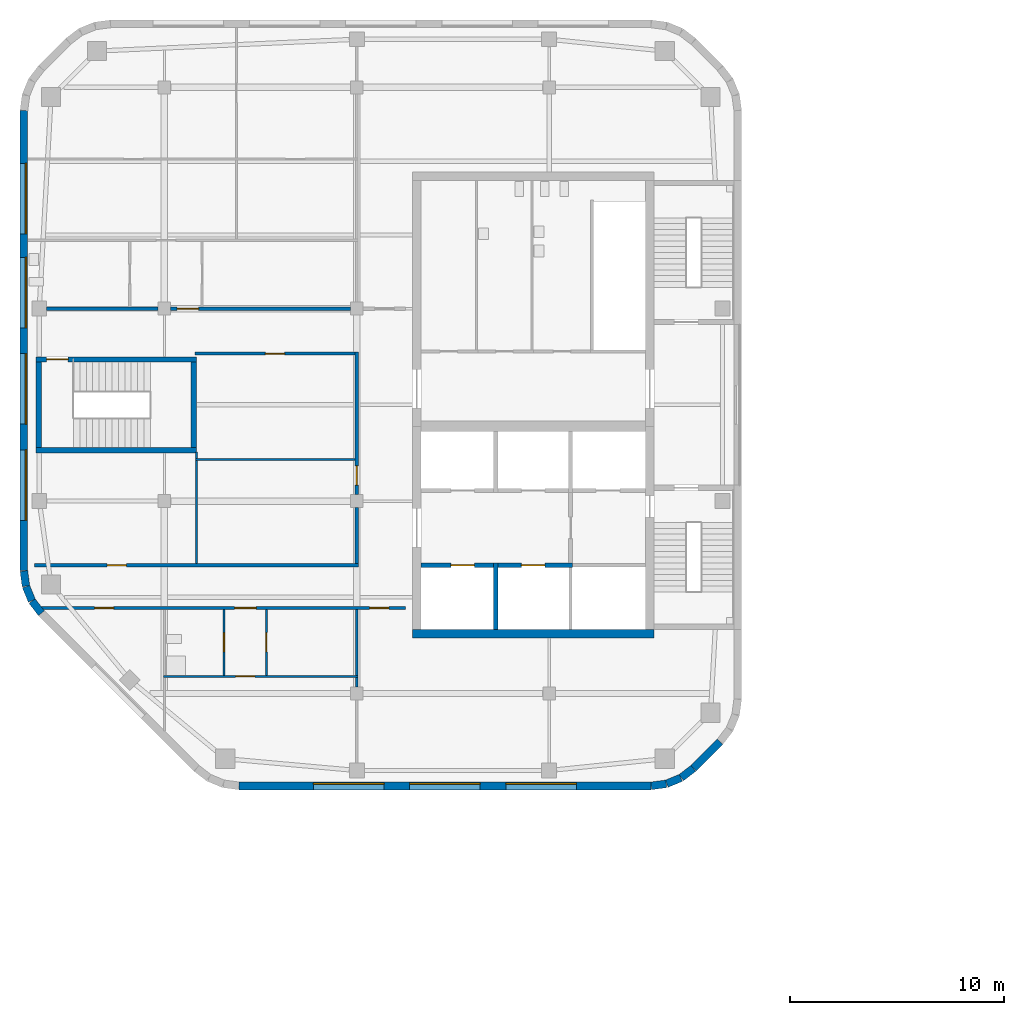
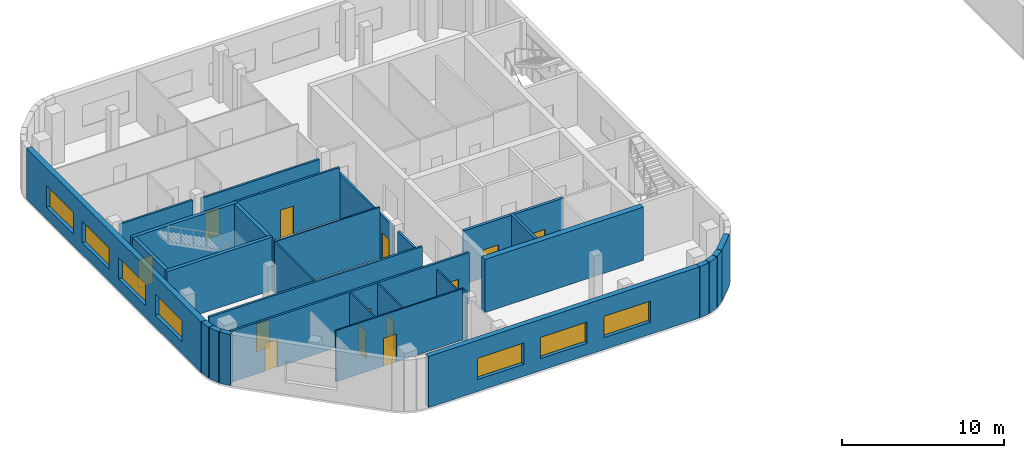
# One storey, part 5 of 14: 32 walls, 13 doors, 7 windows, 20 openings.
"""IFC4 building model written with IfcOpenShell, lengths in metres."""

from ifc_helpers import new_model, si_unit, direction, frame, frame_2d, origin, place, context, subcontext, project, spatial, rectangle, extrude, material, layer, layer_set, type_object, element, fill, save


model = new_model("IFC4")

# Units and contexts
model_context = context("Model", 3, precision=1e-05, world=origin(), true_north=direction((0.0, 1.0)))
body_context = subcontext(model_context, "Body", "Model", "MODEL_VIEW")
ifc_project = project(units=[si_unit("LENGTHUNIT", "METRE"), si_unit("AREAUNIT", "SQUARE_METRE"), si_unit("VOLUMEUNIT", "CUBIC_METRE"), si_unit("PLANEANGLEUNIT", "RADIAN"), si_unit("MASSUNIT", "GRAM", prefix="KILO")], contexts=[model_context])

# Site, building, storey
site_placement = place(None, origin())
site = spatial("IfcSite", under=ifc_project, at=site_placement, CompositionType="ELEMENT")
building_placement = place(site_placement, origin())
building = spatial("IfcBuilding", under=site, at=building_placement, Name="Cinnabar Reach Civic Tower", CompositionType="ELEMENT")
storey_placement = place(building_placement, frame((0.0, 0.0, 132.0)))
storey = spatial("IfcBuildingStorey", under=building, at=storey_placement, Name="L31", CompositionType="ELEMENT", Elevation=132.0)

# Walls
ifc_material_1 = material(Name="Facing brick with insulated backing", Category="masonry")
ifc_layer_1 = layer(ifc_material_1, 0.36)
ifc_layer_set_1 = layer_set([ifc_layer_1], Name="Brick corner wall")
wall_type_1 = type_object("IfcWallType", Name="Brick corner wall", PredefinedType="STANDARD", material=ifc_layer_set_1)
for number, where, z_axis, x_axis, name in (
    (1, (-31.2314, 13.683, 0.0), (0.0, 0.0, 1.0), (0.99144092581, 0.13055608231, 0.0), "Brick corner wall"),
    (2, (-30.5027, 13.7819, 0.0), (0.0, 0.0, 1.0), (0.923871547278, 0.382702709855, 0.0), "Brick corner wall"),
):
    element("IfcWall", number, at=place(storey_placement, frame(where, z_axis=z_axis, x_axis=x_axis)), inside=storey, type_object=wall_type_1, Name=name, PredefinedType="STANDARD", context=body_context, shape_type="SweptSolid", body=[
        extrude(rectangle(XDim=0.7131, YDim=0.36, at=frame_2d((0.3565, 0.0))), origin(), (0.0, 0.0, 1.0), 3.85),
    ])
wall_1_placement = place(storey_placement, frame((-29.8245, 14.066, 0.0), z_axis=(0.0, 0.0, 1.0), x_axis=(0.793321924995, 0.608802368033, 0.0)))
element("IfcWall", 3, at=wall_1_placement, inside=storey, type_object=wall_type_1, Name="Brick corner wall", PredefinedType="STANDARD", context=body_context, shape_type="SweptSolid", body=[
    extrude(rectangle(XDim=0.7132, YDim=0.36, at=frame_2d((0.3566, 0.0))), origin(), (0.0, 0.0, 1.0), 3.85),
])
for number, where, z_axis, x_axis, name in (
    (4, (-60.567, 23.7314, 0.0), (0.0, 0.0, 1.0), (0.13055608231, -0.99144092581, 0.0), "Brick corner wall"),
    (5, (-60.4681, 23.0027, 0.0), (0.0, 0.0, 1.0), (0.382702709855, -0.923871547278, 0.0), "Brick corner wall"),
):
    element("IfcWall", number, at=place(storey_placement, frame(where, z_axis=z_axis, x_axis=x_axis)), inside=storey, type_object=wall_type_1, Name=name, PredefinedType="STANDARD", context=body_context, shape_type="SweptSolid", body=[
        extrude(rectangle(XDim=0.7131, YDim=0.36, at=frame_2d((0.3565, 0.0))), origin(), (0.0, 0.0, 1.0), 3.85),
    ])
wall_2_placement = place(storey_placement, frame((-60.184, 22.3245, 0.0), z_axis=(0.0, 0.0, 1.0), x_axis=(0.608802368033, -0.793321924995, 0.0)))
element("IfcWall", 6, at=wall_2_placement, inside=storey, type_object=wall_type_1, Name="Brick corner wall", PredefinedType="STANDARD", context=body_context, shape_type="SweptSolid", body=[
    extrude(rectangle(XDim=0.7132, YDim=0.36, at=frame_2d((0.3566, 0.0))), origin(), (0.0, 0.0, 1.0), 3.85),
])

# Wall, openings, windows
ifc_layer_2 = layer(ifc_material_1, 0.36)
ifc_layer_set_2 = layer_set([ifc_layer_2], Name="Brick pier and spandrel wall")
wall_type_2 = type_object("IfcWallType", Name="Brick pier and spandrel wall", PredefinedType="STANDARD", material=ifc_layer_set_2)
wall_3_placement = place(storey_placement, frame((-50.5074, 13.68, 0.0), z_axis=(0.0, 0.0, 1.0), x_axis=(1.0, 0.0, 0.0)))
wall_3 = element("IfcWall", 7, at=wall_3_placement, inside=storey, type_object=wall_type_2, Name="Brick facade wall", PredefinedType="STANDARD", context=body_context, shape_type="SweptSolid", body=[
    extrude(rectangle(XDim=19.2648, YDim=0.36, at=frame_2d((9.6324, 0.0))), origin(), (0.0, 0.0, 1.0), 3.85),
])
opening_1_placement = place(wall_3_placement, frame((3.4824, 0.0, 0.9)))
opening_1 = element("IfcOpeningElement", 8, at=opening_1_placement, cuts=wall_3, Name="Opening W2779", PredefinedType="OPENING", context=body_context, shape_type="SweptSolid", body=[
    extrude(rectangle(XDim=3.3, YDim=1.6, at=frame_2d((1.65, 0.8))), frame((0.0, 0.19, 0.0), z_axis=(0.0, -1.0, 0.0), x_axis=(1.0, 0.0, 0.0)), (0.0, 0.0, 1.0), 0.38),
])
opening_2_placement = place(wall_3_placement, frame((7.9824, 0.0, 0.9)))
opening_2 = element("IfcOpeningElement", 9, at=opening_2_placement, cuts=wall_3, Name="Opening W2780", PredefinedType="OPENING", context=body_context, shape_type="SweptSolid", body=[
    extrude(rectangle(XDim=3.3, YDim=1.6, at=frame_2d((1.65, 0.8))), frame((0.0, 0.19, 0.0), z_axis=(0.0, -1.0, 0.0), x_axis=(1.0, 0.0, 0.0)), (0.0, 0.0, 1.0), 0.38),
])
opening_3_placement = place(wall_3_placement, frame((12.4824, 0.0, 0.9)))
opening_3 = element("IfcOpeningElement", 10, at=opening_3_placement, cuts=wall_3, Name="Opening W2781", PredefinedType="OPENING", context=body_context, shape_type="SweptSolid", body=[
    extrude(rectangle(XDim=3.3, YDim=1.6, at=frame_2d((1.65, 0.8))), frame((0.0, 0.19, 0.0), z_axis=(0.0, -1.0, 0.0), x_axis=(1.0, 0.0, 0.0)), (0.0, 0.0, 1.0), 0.38),
])
ifc_material_2 = material(Name="Clear double glazing in aluminium frame", Category="aluminium")
window_type = type_object("IfcWindowType", Name="Deep-set window A", PartitioningType="SINGLE_PANEL", PredefinedType="WINDOW", material=ifc_material_2)
window_1_placement = place(opening_1_placement, origin())
window_1 = element("IfcWindow", 11, at=window_1_placement, inside=storey, type_object=window_type, Name="Window south face", OverallHeight=1.6, OverallWidth=3.3, PartitioningType="SINGLE_PANEL", PredefinedType="WINDOW", context=body_context, shape_type="SweptSolid", body=[
    extrude(rectangle(XDim=3.3, YDim=1.6, at=frame_2d((1.65, 0.8))), frame((0.0, 0.13, 0.0), z_axis=(0.0, -1.0, 0.0), x_axis=(1.0, 0.0, 0.0)), (0.0, 0.0, 1.0), 0.06),
])
fill(opening_1, window_1)
window_2_placement = place(opening_2_placement, origin())
window_2 = element("IfcWindow", 12, at=window_2_placement, inside=storey, type_object=window_type, Name="Window south face", OverallHeight=1.6, OverallWidth=3.3, PartitioningType="SINGLE_PANEL", PredefinedType="WINDOW", context=body_context, shape_type="SweptSolid", body=[
    extrude(rectangle(XDim=3.3, YDim=1.6, at=frame_2d((1.65, 0.8))), frame((0.0, 0.13, 0.0), z_axis=(0.0, -1.0, 0.0), x_axis=(1.0, 0.0, 0.0)), (0.0, 0.0, 1.0), 0.06),
])
fill(opening_2, window_2)
window_3_placement = place(opening_3_placement, origin())
window_3 = element("IfcWindow", 13, at=window_3_placement, inside=storey, type_object=window_type, Name="Window south face", OverallHeight=1.6, OverallWidth=3.3, PartitioningType="SINGLE_PANEL", PredefinedType="WINDOW", context=body_context, shape_type="SweptSolid", body=[
    extrude(rectangle(XDim=3.3, YDim=1.6, at=frame_2d((1.65, 0.8))), frame((0.0, 0.13, 0.0), z_axis=(0.0, -1.0, 0.0), x_axis=(1.0, 0.0, 0.0)), (0.0, 0.0, 1.0), 0.06),
])
fill(opening_3, window_3)

# Wall
wall_4_placement = place(storey_placement, frame((-29.2486, 14.506, 0.0), z_axis=(0.0, 0.0, 1.0), x_axis=(0.707106781187, 0.707106781187, 0.0)))
element("IfcWall", 14, at=wall_4_placement, inside=storey, type_object=wall_type_2, Name="Brick facade wall", PredefinedType="STANDARD", context=body_context, shape_type="SweptSolid", body=[
    extrude(rectangle(XDim=1.7573, YDim=0.36, at=frame_2d((0.8787, 0.0))), origin(), (0.0, 0.0, 1.0), 3.85),
])

# Wall, openings, windows
wall_5_placement = place(storey_placement, frame((-60.57, 45.2574, 0.0), z_axis=(0.0, 0.0, 1.0), x_axis=(0.0, -1.0, 0.0)))
wall_5 = element("IfcWall", 15, at=wall_5_placement, inside=storey, type_object=wall_type_2, Name="Brick facade wall", PredefinedType="STANDARD", context=body_context, shape_type="SweptSolid", body=[
    extrude(rectangle(XDim=21.5148, YDim=0.36, at=frame_2d((10.7574, 0.0))), origin(), (0.0, 0.0, 1.0), 3.85),
])
opening_4_placement = place(wall_5_placement, frame((2.4574, 0.0, 0.9)))
opening_4 = element("IfcOpeningElement", 16, at=opening_4_placement, cuts=wall_5, Name="Opening W2788", PredefinedType="OPENING", context=body_context, shape_type="SweptSolid", body=[
    extrude(rectangle(XDim=3.3, YDim=1.6, at=frame_2d((1.65, 0.8))), frame((0.0, 0.19, 0.0), z_axis=(0.0, -1.0, 0.0), x_axis=(1.0, 0.0, 0.0)), (0.0, 0.0, 1.0), 0.38),
])
opening_5_placement = place(wall_5_placement, frame((6.8574, 0.0, 0.9)))
opening_5 = element("IfcOpeningElement", 17, at=opening_5_placement, cuts=wall_5, Name="Opening W2789", PredefinedType="OPENING", context=body_context, shape_type="SweptSolid", body=[
    extrude(rectangle(XDim=3.3, YDim=1.6, at=frame_2d((1.65, 0.8))), frame((0.0, 0.19, 0.0), z_axis=(0.0, -1.0, 0.0), x_axis=(1.0, 0.0, 0.0)), (0.0, 0.0, 1.0), 0.38),
])
opening_6_placement = place(wall_5_placement, frame((11.3574, 0.0, 0.9)))
opening_6 = element("IfcOpeningElement", 18, at=opening_6_placement, cuts=wall_5, Name="Opening W2790", PredefinedType="OPENING", context=body_context, shape_type="SweptSolid", body=[
    extrude(rectangle(XDim=3.3, YDim=1.6, at=frame_2d((1.65, 0.8))), frame((0.0, 0.19, 0.0), z_axis=(0.0, -1.0, 0.0), x_axis=(1.0, 0.0, 0.0)), (0.0, 0.0, 1.0), 0.38),
])
opening_7_placement = place(wall_5_placement, frame((15.8574, 0.0, 0.9)))
opening_7 = element("IfcOpeningElement", 19, at=opening_7_placement, cuts=wall_5, Name="Opening W2791", PredefinedType="OPENING", context=body_context, shape_type="SweptSolid", body=[
    extrude(rectangle(XDim=3.3, YDim=1.6, at=frame_2d((1.65, 0.8))), frame((0.0, 0.19, 0.0), z_axis=(0.0, -1.0, 0.0), x_axis=(1.0, 0.0, 0.0)), (0.0, 0.0, 1.0), 0.38),
])
window_4_placement = place(opening_4_placement, origin())
window_4 = element("IfcWindow", 20, at=window_4_placement, inside=storey, type_object=window_type, Name="Window west face", OverallHeight=1.6, OverallWidth=3.3, PartitioningType="SINGLE_PANEL", PredefinedType="WINDOW", context=body_context, shape_type="SweptSolid", body=[
    extrude(rectangle(XDim=3.3, YDim=1.6, at=frame_2d((1.65, 0.8))), frame((0.0, 0.13, 0.0), z_axis=(0.0, -1.0, 0.0), x_axis=(1.0, 0.0, 0.0)), (0.0, 0.0, 1.0), 0.06),
])
fill(opening_4, window_4)
window_5_placement = place(opening_5_placement, origin())
window_5 = element("IfcWindow", 21, at=window_5_placement, inside=storey, type_object=window_type, Name="Window west face", OverallHeight=1.6, OverallWidth=3.3, PartitioningType="SINGLE_PANEL", PredefinedType="WINDOW", context=body_context, shape_type="SweptSolid", body=[
    extrude(rectangle(XDim=3.3, YDim=1.6, at=frame_2d((1.65, 0.8))), frame((0.0, 0.13, 0.0), z_axis=(0.0, -1.0, 0.0), x_axis=(1.0, 0.0, 0.0)), (0.0, 0.0, 1.0), 0.06),
])
fill(opening_5, window_5)
window_6_placement = place(opening_6_placement, origin())
window_6 = element("IfcWindow", 22, at=window_6_placement, inside=storey, type_object=window_type, Name="Window west face", OverallHeight=1.6, OverallWidth=3.3, PartitioningType="SINGLE_PANEL", PredefinedType="WINDOW", context=body_context, shape_type="SweptSolid", body=[
    extrude(rectangle(XDim=3.3, YDim=1.6, at=frame_2d((1.65, 0.8))), frame((0.0, 0.13, 0.0), z_axis=(0.0, -1.0, 0.0), x_axis=(1.0, 0.0, 0.0)), (0.0, 0.0, 1.0), 0.06),
])
fill(opening_6, window_6)
window_7_placement = place(opening_7_placement, origin())
window_7 = element("IfcWindow", 23, at=window_7_placement, inside=storey, type_object=window_type, Name="Window west face", OverallHeight=1.6, OverallWidth=3.3, PartitioningType="SINGLE_PANEL", PredefinedType="WINDOW", context=body_context, shape_type="SweptSolid", body=[
    extrude(rectangle(XDim=3.3, YDim=1.6, at=frame_2d((1.65, 0.8))), frame((0.0, 0.13, 0.0), z_axis=(0.0, -1.0, 0.0), x_axis=(1.0, 0.0, 0.0)), (0.0, 0.0, 1.0), 0.06),
])
fill(opening_7, window_7)

# Wall
ifc_material_3 = material(Name="Concrete C60", Category="concrete")
ifc_layer_3 = layer(ifc_material_3, 0.4)
ifc_layer_set_3 = layer_set([ifc_layer_3], Name="Core wall 400 EI 180")
wall_type_3 = type_object("IfcWallType", Name="Core wall 400 EI 180", PredefinedType="SOLIDWALL", material=ifc_layer_set_3)
wall_6_placement = place(storey_placement, frame((-42.4, 20.8, 0.0), z_axis=(0.0, 0.0, 1.0), x_axis=(1.0, 0.0, 0.0)))
element("IfcWall", 24, at=wall_6_placement, inside=storey, type_object=wall_type_3, Name="Core wall T2 L31 S", PredefinedType="SOLIDWALL", context=body_context, shape_type="SweptSolid", body=[
    extrude(rectangle(XDim=11.3, YDim=0.4, at=frame_2d((5.65, 0.0))), origin(), (0.0, 0.0, 1.0), 4.0),
])

# Wall, opening, door
ifc_material_4 = material(Name="Gypsum board on steel studs, double layer", Category="steel")
ifc_layer_4 = layer(ifc_material_4, 0.15)
ifc_layer_set_4 = layer_set([ifc_layer_4], Name="Corridor wall 150 T2")
wall_type_4 = type_object("IfcWallType", Name="Corridor wall 150 T2", PredefinedType="PARTITIONING", material=ifc_layer_set_4)
wall_7_placement = place(storey_placement, frame((-53.7, 36.0, 0.0), z_axis=(0.0, 0.0, 1.0), x_axis=(1.0, 0.0, 0.0)))
wall_7 = element("IfcWall", 25, at=wall_7_placement, inside=storey, type_object=wall_type_4, Name="Corridor wall 2", PredefinedType="PARTITIONING", context=body_context, shape_type="SweptSolid", body=[
    extrude(rectangle(XDim=8.4, YDim=0.15, at=frame_2d((4.2, 0.0))), origin(), (0.0, 0.0, 1.0), 3.262),
])
opening_8_placement = place(wall_7_placement, frame((0.3, 0.0, 0.0)))
opening_8 = element("IfcOpeningElement", 26, at=opening_8_placement, cuts=wall_7, Name="Opening D7127", PredefinedType="OPENING", context=body_context, shape_type="SweptSolid", body=[
    extrude(rectangle(XDim=1.0, YDim=2.1, at=frame_2d((0.5, 1.05))), frame((0.0, 0.085, 0.0), z_axis=(0.0, -1.0, 0.0), x_axis=(1.0, 0.0, 0.0)), (0.0, 0.0, 1.0), 0.17),
])
ifc_material_5 = material(Name="Timber door leaf in steel frame", Category="steel")
door_type_1 = type_object("IfcDoorType", Name="Tenancy entrance door 1000 x 2100 T2", OperationType="SINGLE_SWING_LEFT", PredefinedType="DOOR", material=ifc_material_5)
door_1_placement = place(opening_8_placement, origin())
door_1 = element("IfcDoor", 27, at=door_1_placement, inside=storey, type_object=door_type_1, Name="Door D7127", OperationType="SINGLE_SWING_RIGHT", OverallHeight=2.1, OverallWidth=1.0, PredefinedType="DOOR", context=body_context, shape_type="SweptSolid", body=[
    extrude(rectangle(XDim=1.0, YDim=2.1, at=frame_2d((0.5, 1.05))), frame((0.0, 0.025, 0.0), z_axis=(0.0, -1.0, 0.0), x_axis=(1.0, 0.0, 0.0)), (0.0, 0.0, 1.0), 0.05),
])
fill(opening_8, door_1)

# Wall
wall_8_placement = place(storey_placement, frame((-59.5, 36.0, 0.0), z_axis=(0.0, 0.0, 1.0), x_axis=(1.0, 0.0, 0.0)))
element("IfcWall", 28, at=wall_8_placement, inside=storey, type_object=wall_type_4, Name="Corridor wall 3", PredefinedType="PARTITIONING", context=body_context, shape_type="SweptSolid", body=[
    extrude(rectangle(XDim=5.2, YDim=0.15, at=frame_2d((2.6, 0.0))), origin(), (0.0, 0.0, 1.0), 3.35),
])

# Wall, openings, doors
wall_9_placement = place(storey_placement, frame((-59.7657, 22.0, 0.0), z_axis=(0.0, 0.0, 1.0), x_axis=(1.0, 0.0, 0.0)))
wall_9 = element("IfcWall", 29, at=wall_9_placement, inside=storey, type_object=wall_type_4, Name="Corridor wall 4", PredefinedType="PARTITIONING", context=body_context, shape_type="SweptSolid", body=[
    extrude(rectangle(XDim=17.0407, YDim=0.15, at=frame_2d((8.5204, 0.0))), origin(), (0.0, 0.0, 1.0), 3.85),
])
opening_9_placement = place(wall_9_placement, frame((15.3657, 0.0, 0.0)))
opening_9 = element("IfcOpeningElement", 30, at=opening_9_placement, cuts=wall_9, Name="Opening D7115", PredefinedType="OPENING", context=body_context, shape_type="SweptSolid", body=[
    extrude(rectangle(XDim=0.9, YDim=2.1, at=frame_2d((0.45, 1.05))), frame((0.0, 0.085, 0.0), z_axis=(0.0, -1.0, 0.0), x_axis=(1.0, 0.0, 0.0)), (0.0, 0.0, 1.0), 0.17),
])
opening_10_placement = place(wall_9_placement, frame((2.5, 0.0, 0.0)))
opening_10 = element("IfcOpeningElement", 31, at=opening_10_placement, cuts=wall_9, Name="Opening D7116", PredefinedType="OPENING", context=body_context, shape_type="SweptSolid", body=[
    extrude(rectangle(XDim=0.9, YDim=2.1, at=frame_2d((0.45, 1.05))), frame((0.0, 0.085, 0.0), z_axis=(0.0, -1.0, 0.0), x_axis=(1.0, 0.0, 0.0)), (0.0, 0.0, 1.0), 0.17),
])
opening_11_placement = place(wall_9_placement, frame((9.0557, 0.0, 0.0)))
opening_11 = element("IfcOpeningElement", 32, at=opening_11_placement, cuts=wall_9, Name="Opening D7120", PredefinedType="OPENING", context=body_context, shape_type="SweptSolid", body=[
    extrude(rectangle(XDim=1.0, YDim=2.1, at=frame_2d((0.5, 1.05))), frame((0.0, 0.085, 0.0), z_axis=(0.0, -1.0, 0.0), x_axis=(1.0, 0.0, 0.0)), (0.0, 0.0, 1.0), 0.17),
])
door_type_2 = type_object("IfcDoorType", Name="Single swing door 900 x 2100 T2", OperationType="SINGLE_SWING_LEFT", PredefinedType="DOOR", material=ifc_material_5)
door_2_placement = place(opening_9_placement, frame((0.9, 0.0, 0.0), z_axis=(0.0, 0.0, 1.0), x_axis=(-1.0, 0.0, 0.0)))
door_2 = element("IfcDoor", 33, at=door_2_placement, inside=storey, type_object=door_type_2, Name="Door D7115", OperationType="SINGLE_SWING_LEFT", OverallHeight=2.1, OverallWidth=0.9, PredefinedType="DOOR", context=body_context, shape_type="SweptSolid", body=[
    extrude(rectangle(XDim=0.9, YDim=2.1, at=frame_2d((0.45, 1.05))), frame((0.0, 0.025, 0.0), z_axis=(0.0, -1.0, 0.0), x_axis=(1.0, 0.0, 0.0)), (0.0, 0.0, 1.0), 0.05),
])
fill(opening_9, door_2)
door_3_placement = place(opening_10_placement, frame((0.9, 0.0, 0.0), z_axis=(0.0, 0.0, 1.0), x_axis=(-1.0, 0.0, 0.0)))
door_3 = element("IfcDoor", 34, at=door_3_placement, inside=storey, type_object=door_type_2, Name="Door D7116", OperationType="SINGLE_SWING_LEFT", OverallHeight=2.1, OverallWidth=0.9, PredefinedType="DOOR", context=body_context, shape_type="SweptSolid", body=[
    extrude(rectangle(XDim=0.9, YDim=2.1, at=frame_2d((0.45, 1.05))), frame((0.0, 0.025, 0.0), z_axis=(0.0, -1.0, 0.0), x_axis=(1.0, 0.0, 0.0)), (0.0, 0.0, 1.0), 0.05),
])
fill(opening_10, door_3)
door_4_placement = place(opening_11_placement, frame((1.0, 0.0, 0.0), z_axis=(0.0, 0.0, 1.0), x_axis=(-1.0, 0.0, 0.0)))
door_4 = element("IfcDoor", 35, at=door_4_placement, inside=storey, type_object=door_type_1, Name="Door D7120", OperationType="SINGLE_SWING_LEFT", OverallHeight=2.1, OverallWidth=1.0, PredefinedType="DOOR", context=body_context, shape_type="SweptSolid", body=[
    extrude(rectangle(XDim=1.0, YDim=2.1, at=frame_2d((0.5, 1.05))), frame((0.0, 0.025, 0.0), z_axis=(0.0, -1.0, 0.0), x_axis=(1.0, 0.0, 0.0)), (0.0, 0.0, 1.0), 0.05),
])
fill(opening_11, door_4)

# Wall, opening, door
wall_10_placement = place(storey_placement, frame((-60.075, 24.0, 0.0), z_axis=(0.0, 0.0, 1.0), x_axis=(1.0, 0.0, 0.0)))
wall_10 = element("IfcWall", 36, at=wall_10_placement, inside=storey, type_object=wall_type_4, Name="Corridor wall 5", PredefinedType="PARTITIONING", context=body_context, shape_type="SweptSolid", body=[
    extrude(rectangle(XDim=15.15, YDim=0.15, at=frame_2d((7.575, 0.0))), origin(), (0.0, 0.0, 1.0), 3.85),
])
opening_12_placement = place(wall_10_placement, frame((3.4, 0.0, 0.0)))
opening_12 = element("IfcOpeningElement", 37, at=opening_12_placement, cuts=wall_10, Name="Opening D7128", PredefinedType="OPENING", context=body_context, shape_type="SweptSolid", body=[
    extrude(rectangle(XDim=0.9, YDim=2.1, at=frame_2d((0.45, 1.05))), frame((0.0, 0.085, 0.0), z_axis=(0.0, -1.0, 0.0), x_axis=(1.0, 0.0, 0.0)), (0.0, 0.0, 1.0), 0.17),
])
door_5_placement = place(opening_12_placement, origin())
door_5 = element("IfcDoor", 38, at=door_5_placement, inside=storey, type_object=door_type_2, Name="Door D7128", OperationType="SINGLE_SWING_RIGHT", OverallHeight=2.1, OverallWidth=0.9, PredefinedType="DOOR", context=body_context, shape_type="SweptSolid", body=[
    extrude(rectangle(XDim=0.9, YDim=2.1, at=frame_2d((0.45, 1.05))), frame((0.0, 0.025, 0.0), z_axis=(0.0, -1.0, 0.0), x_axis=(1.0, 0.0, 0.0)), (0.0, 0.0, 1.0), 0.05),
])
fill(opening_12, door_5)

# Wall
wall_11_placement = place(storey_placement, frame((-45.0, 24.075, 0.0), z_axis=(0.0, 0.0, 1.0), x_axis=(0.0, 1.0, 0.0)))
element("IfcWall", 39, at=wall_11_placement, inside=storey, type_object=wall_type_4, Name="Corridor wall 6", PredefinedType="PARTITIONING", context=body_context, shape_type="SweptSolid", body=[
    extrude(rectangle(XDim=2.625, YDim=0.15, at=frame_2d((1.3125, 0.0))), origin(), (0.0, 0.0, 1.0), 3.362),
])

# Wall, opening, door
wall_12_placement = place(storey_placement, frame((-45.0, 27.3, 0.0), z_axis=(0.0, 0.0, 1.0), x_axis=(0.0, 1.0, 0.0)))
wall_12 = element("IfcWall", 40, at=wall_12_placement, inside=storey, type_object=wall_type_4, Name="Corridor wall 7", PredefinedType="PARTITIONING", context=body_context, shape_type="SweptSolid", body=[
    extrude(rectangle(XDim=6.675, YDim=0.15, at=frame_2d((3.3375, 0.0))), origin(), (0.0, 0.0, 1.0), 3.362),
])
opening_13_placement = place(wall_12_placement, frame((0.45, 0.0, 0.0)))
opening_13 = element("IfcOpeningElement", 41, at=opening_13_placement, cuts=wall_12, Name="Opening D7129", PredefinedType="OPENING", context=body_context, shape_type="SweptSolid", body=[
    extrude(rectangle(XDim=0.9, YDim=2.1, at=frame_2d((0.45, 1.05))), frame((0.0, 0.085, 0.0), z_axis=(0.0, -1.0, 0.0), x_axis=(1.0, 0.0, 0.0)), (0.0, 0.0, 1.0), 0.17),
])
door_6_placement = place(opening_13_placement, origin())
door_6 = element("IfcDoor", 42, at=door_6_placement, inside=storey, type_object=door_type_2, Name="Door D7129", OperationType="SINGLE_SWING_RIGHT", OverallHeight=2.1, OverallWidth=0.9, PredefinedType="DOOR", context=body_context, shape_type="SweptSolid", body=[
    extrude(rectangle(XDim=0.9, YDim=2.1, at=frame_2d((0.45, 1.05))), frame((0.0, 0.025, 0.0), z_axis=(0.0, -1.0, 0.0), x_axis=(1.0, 0.0, 0.0)), (0.0, 0.0, 1.0), 0.05),
])
fill(opening_13, door_6)

wall_13_placement = place(storey_placement, frame((-52.575, 33.9, 0.0), z_axis=(0.0, 0.0, 1.0), x_axis=(1.0, 0.0, 0.0)))
wall_13 = element("IfcWall", 43, at=wall_13_placement, inside=storey, type_object=wall_type_4, Name="Corridor wall 8", PredefinedType="PARTITIONING", context=body_context, shape_type="SweptSolid", body=[
    extrude(rectangle(XDim=7.5, YDim=0.15, at=frame_2d((3.75, 0.0))), origin(), (0.0, 0.0, 1.0), 3.85),
])
opening_14_placement = place(wall_13_placement, frame((3.3, 0.0, 0.0)))
opening_14 = element("IfcOpeningElement", 44, at=opening_14_placement, cuts=wall_13, Name="Opening D7130", PredefinedType="OPENING", context=body_context, shape_type="SweptSolid", body=[
    extrude(rectangle(XDim=0.9, YDim=2.1, at=frame_2d((0.45, 1.05))), frame((0.0, 0.085, 0.0), z_axis=(0.0, -1.0, 0.0), x_axis=(1.0, 0.0, 0.0)), (0.0, 0.0, 1.0), 0.17),
])
door_7_placement = place(opening_14_placement, frame((0.9, 0.0, 0.0), z_axis=(0.0, 0.0, 1.0), x_axis=(-1.0, 0.0, 0.0)))
door_7 = element("IfcDoor", 45, at=door_7_placement, inside=storey, type_object=door_type_2, Name="Door D7130", OperationType="SINGLE_SWING_LEFT", OverallHeight=2.1, OverallWidth=0.9, PredefinedType="DOOR", context=body_context, shape_type="SweptSolid", body=[
    extrude(rectangle(XDim=0.9, YDim=2.1, at=frame_2d((0.45, 1.05))), frame((0.0, 0.025, 0.0), z_axis=(0.0, -1.0, 0.0), x_axis=(1.0, 0.0, 0.0)), (0.0, 0.0, 1.0), 0.05),
])
fill(opening_14, door_7)

ifc_material_6 = material(Name="Gypsum board on steel studs", Category="steel")
ifc_layer_5 = layer(ifc_material_6, 0.1)
ifc_layer_set_5 = layer_set([ifc_layer_5], Name="Partition wall 100 T2")
wall_type_5 = type_object("IfcWallType", Name="Partition wall 100 T2", PredefinedType="PARTITIONING", material=ifc_layer_set_5)
wall_14_placement = place(storey_placement, frame((-54.05, 18.8, 0.0), z_axis=(0.0, 0.0, 1.0), x_axis=(1.0, 0.0, 0.0)))
wall_14 = element("IfcWall", 46, at=wall_14_placement, inside=storey, type_object=wall_type_5, Name="Partition wall 17", PredefinedType="PARTITIONING", context=body_context, shape_type="SweptSolid", body=[
    extrude(rectangle(XDim=9.1, YDim=0.1, at=frame_2d((4.55, 0.0))), origin(), (0.0, 0.0, 1.0), 3.85),
])
opening_15_placement = place(wall_14_placement, frame((3.39, 0.0, 0.0)))
opening_15 = element("IfcOpeningElement", 47, at=opening_15_placement, cuts=wall_14, Name="Opening D7119", PredefinedType="OPENING", context=body_context, shape_type="SweptSolid", body=[
    extrude(rectangle(XDim=0.9, YDim=2.1, at=frame_2d((0.45, 1.05))), frame((0.0, 0.06, 0.0), z_axis=(0.0, -1.0, 0.0), x_axis=(1.0, 0.0, 0.0)), (0.0, 0.0, 1.0), 0.12),
])
door_8_placement = place(opening_15_placement, origin())
door_8 = element("IfcDoor", 48, at=door_8_placement, inside=storey, type_object=door_type_2, Name="Door D7119", OperationType="SINGLE_SWING_RIGHT", OverallHeight=2.1, OverallWidth=0.9, PredefinedType="DOOR", context=body_context, shape_type="SweptSolid", body=[
    extrude(rectangle(XDim=0.9, YDim=2.1, at=frame_2d((0.45, 1.05))), frame((0.0, 0.025, 0.0), z_axis=(0.0, -1.0, 0.0), x_axis=(1.0, 0.0, 0.0)), (0.0, 0.0, 1.0), 0.05),
])
fill(opening_15, door_8)

# Walls
wall_15_placement = place(storey_placement, frame((-45.0, 18.85, 0.0), z_axis=(0.0, 0.0, 1.0), x_axis=(0.0, 1.0, 0.0)))
element("IfcWall", 49, at=wall_15_placement, inside=storey, type_object=wall_type_5, Name="Partition wall 18", PredefinedType="PARTITIONING", context=body_context, shape_type="SweptSolid", body=[
    extrude(rectangle(XDim=3.075, YDim=0.1, at=frame_2d((1.5375, 0.0))), origin(), (0.0, 0.0, 1.0), 3.362),
])
wall_16_placement = place(storey_placement, frame((-45.0, 18.3, 0.0), z_axis=(0.0, 0.0, 1.0), x_axis=(0.0, 1.0, 0.0)))
element("IfcWall", 50, at=wall_16_placement, inside=storey, type_object=wall_type_5, Name="Partition wall 19", PredefinedType="PARTITIONING", context=body_context, shape_type="SweptSolid", body=[
    extrude(rectangle(XDim=0.45, YDim=0.1, at=frame_2d((0.225, 0.0))), origin(), (0.0, 0.0, 1.0), 3.85),
])
wall_17_placement = place(storey_placement, frame((-52.55, 28.95, 0.0), z_axis=(0.0, 0.0, 1.0), x_axis=(1.0, 0.0, 0.0)))
element("IfcWall", 51, at=wall_17_placement, inside=storey, type_object=wall_type_5, Name="Partition wall 21", PredefinedType="PARTITIONING", context=body_context, shape_type="SweptSolid", body=[
    extrude(rectangle(XDim=7.475, YDim=0.1, at=frame_2d((3.7375, 0.0))), origin(), (0.0, 0.0, 1.0), 3.85),
])
wall_18_placement = place(storey_placement, frame((-52.5, 29.0, 0.0), z_axis=(0.0, 0.0, 1.0), x_axis=(0.0, 1.0, 0.0)))
element("IfcWall", 52, at=wall_18_placement, inside=storey, type_object=wall_type_5, Name="Partition wall 24", PredefinedType="PARTITIONING", context=body_context, shape_type="SweptSolid", body=[
    extrude(rectangle(XDim=0.3, YDim=0.1, at=frame_2d((0.15, 0.0))), origin(), (0.0, 0.0, 1.0), 3.85),
])
wall_19_placement = place(storey_placement, frame((-52.5, 24.075, 0.0), z_axis=(0.0, 0.0, 1.0), x_axis=(0.0, 1.0, 0.0)))
element("IfcWall", 53, at=wall_19_placement, inside=storey, type_object=wall_type_5, Name="Partition wall 25", PredefinedType="PARTITIONING", context=body_context, shape_type="SweptSolid", body=[
    extrude(rectangle(XDim=4.825, YDim=0.1, at=frame_2d((2.4125, 0.0))), origin(), (0.0, 0.0, 1.0), 3.85),
])

# Wall, opening, door
wall_20_placement = place(storey_placement, frame((-51.21, 18.85, 0.0), z_axis=(0.0, 0.0, 1.0), x_axis=(0.0, 1.0, 0.0)))
wall_20 = element("IfcWall", 54, at=wall_20_placement, inside=storey, type_object=wall_type_5, Name="Partition wall 28", PredefinedType="PARTITIONING", context=body_context, shape_type="SweptSolid", body=[
    extrude(rectangle(XDim=3.075, YDim=0.1, at=frame_2d((1.5375, 0.0))), origin(), (0.0, 0.0, 1.0), 3.85),
])
opening_16_placement = place(wall_20_placement, frame((1.1, 0.0, 0.0)))
opening_16 = element("IfcOpeningElement", 55, at=opening_16_placement, cuts=wall_20, Name="Opening D7117", PredefinedType="OPENING", context=body_context, shape_type="SweptSolid", body=[
    extrude(rectangle(XDim=0.9, YDim=2.1, at=frame_2d((0.45, 1.05))), frame((0.0, 0.06, 0.0), z_axis=(0.0, -1.0, 0.0), x_axis=(1.0, 0.0, 0.0)), (0.0, 0.0, 1.0), 0.12),
])
door_9_placement = place(opening_16_placement, origin())
door_9 = element("IfcDoor", 56, at=door_9_placement, inside=storey, type_object=door_type_2, Name="Door D7117", OperationType="SINGLE_SWING_RIGHT", OverallHeight=2.1, OverallWidth=0.9, PredefinedType="DOOR", context=body_context, shape_type="SweptSolid", body=[
    extrude(rectangle(XDim=0.9, YDim=2.1, at=frame_2d((0.45, 1.05))), frame((0.0, 0.025, 0.0), z_axis=(0.0, -1.0, 0.0), x_axis=(1.0, 0.0, 0.0)), (0.0, 0.0, 1.0), 0.05),
])
fill(opening_16, door_9)

wall_21_placement = place(storey_placement, frame((-49.23, 18.85, 0.0), z_axis=(0.0, 0.0, 1.0), x_axis=(0.0, 1.0, 0.0)))
wall_21 = element("IfcWall", 57, at=wall_21_placement, inside=storey, type_object=wall_type_5, Name="Partition wall 29", PredefinedType="PARTITIONING", context=body_context, shape_type="SweptSolid", body=[
    extrude(rectangle(XDim=3.075, YDim=0.1, at=frame_2d((1.5375, 0.0))), origin(), (0.0, 0.0, 1.0), 3.85),
])
opening_17_placement = place(wall_21_placement, frame((1.1, 0.0, 0.0)))
opening_17 = element("IfcOpeningElement", 58, at=opening_17_placement, cuts=wall_21, Name="Opening D7118", PredefinedType="OPENING", context=body_context, shape_type="SweptSolid", body=[
    extrude(rectangle(XDim=0.9, YDim=2.1, at=frame_2d((0.45, 1.05))), frame((0.0, 0.06, 0.0), z_axis=(0.0, -1.0, 0.0), x_axis=(1.0, 0.0, 0.0)), (0.0, 0.0, 1.0), 0.12),
])
door_10_placement = place(opening_17_placement, origin())
door_10 = element("IfcDoor", 59, at=door_10_placement, inside=storey, type_object=door_type_2, Name="Door D7118", OperationType="SINGLE_SWING_LEFT", OverallHeight=2.1, OverallWidth=0.9, PredefinedType="DOOR", context=body_context, shape_type="SweptSolid", body=[
    extrude(rectangle(XDim=0.9, YDim=2.1, at=frame_2d((0.45, 1.05))), frame((0.0, 0.025, 0.0), z_axis=(0.0, -1.0, 0.0), x_axis=(1.0, 0.0, 0.0)), (0.0, 0.0, 1.0), 0.05),
])
fill(opening_17, door_10)

# Wall
ifc_layer_6 = layer(ifc_material_3, 0.25)
ifc_layer_set_6 = layer_set([ifc_layer_6], Name="Stair shaft wall 250 EI 120")
wall_type_6 = type_object("IfcWallType", Name="Stair shaft wall 250 EI 120", PredefinedType="SOLIDWALL", material=ifc_layer_set_6)
wall_22_placement = place(storey_placement, frame((-60.0, 29.375, 0.0), z_axis=(0.0, 0.0, 1.0), x_axis=(1.0, 0.0, 0.0)))
element("IfcWall", 60, at=wall_22_placement, inside=storey, type_object=wall_type_6, Name="Stair shaft wall T2-S3 L31", PredefinedType="SOLIDWALL", context=body_context, shape_type="SweptSolid", body=[
    extrude(rectangle(XDim=7.5, YDim=0.25, at=frame_2d((3.75, 0.0))), origin(), (0.0, 0.0, 1.0), 4.0),
])

# Wall, opening, door
wall_23_placement = place(storey_placement, frame((-52.5, 33.625, 0.0), z_axis=(0.0, 0.0, 1.0), x_axis=(-1.0, 0.0, 0.0)))
wall_23 = element("IfcWall", 61, at=wall_23_placement, inside=storey, type_object=wall_type_6, Name="Stair shaft wall T2-S3 L31", PredefinedType="SOLIDWALL", context=body_context, shape_type="SweptSolid", body=[
    extrude(rectangle(XDim=7.5, YDim=0.25, at=frame_2d((3.75, 0.0))), origin(), (0.0, 0.0, 1.0), 4.0),
])
opening_18_placement = place(wall_23_placement, frame((6.0, 0.0, 0.0)))
opening_18 = element("IfcOpeningElement", 62, at=opening_18_placement, cuts=wall_23, Name="Opening D7131", PredefinedType="OPENING", context=body_context, shape_type="SweptSolid", body=[
    extrude(rectangle(XDim=1.0, YDim=2.1, at=frame_2d((0.5, 1.05))), frame((0.0, 0.135, 0.0), z_axis=(0.0, -1.0, 0.0), x_axis=(1.0, 0.0, 0.0)), (0.0, 0.0, 1.0), 0.27),
])
door_type_3 = type_object("IfcDoorType", Name="Stair door 1000 x 2100 T2", OperationType="SINGLE_SWING_LEFT", PredefinedType="DOOR", material=ifc_material_5)
door_11_placement = place(opening_18_placement, origin())
door_11 = element("IfcDoor", 63, at=door_11_placement, inside=storey, type_object=door_type_3, Name="Door D7131", OperationType="SINGLE_SWING_RIGHT", OverallHeight=2.1, OverallWidth=1.0, PredefinedType="DOOR", context=body_context, shape_type="SweptSolid", body=[
    extrude(rectangle(XDim=1.0, YDim=2.1, at=frame_2d((0.5, 1.05))), frame((0.0, 0.025, 0.0), z_axis=(0.0, -1.0, 0.0), x_axis=(1.0, 0.0, 0.0)), (0.0, 0.0, 1.0), 0.05),
])
fill(opening_18, door_11)

# Walls
for number, where, z_axis, x_axis, name in (
    (64, (-52.625, 29.5, 0.0), (0.0, 0.0, 1.0), (0.0, 1.0, 0.0), "Stair shaft wall T2-S3 L31"),
    (65, (-59.875, 33.5, 0.0), (0.0, 0.0, 1.0), (0.0, -1.0, 0.0), "Stair shaft wall T2-S3 L31"),
):
    element("IfcWall", number, at=place(storey_placement, frame(where, z_axis=z_axis, x_axis=x_axis)), inside=storey, type_object=wall_type_6, Name=name, PredefinedType="SOLIDWALL", context=body_context, shape_type="SweptSolid", body=[
        extrude(rectangle(XDim=4.0, YDim=0.25, at=frame_2d((2.0, 0.0))), origin(), (0.0, 0.0, 1.0), 4.0),
    ])
ifc_material_7 = material(Name="Concrete C40", Category="concrete")
ifc_layer_7 = layer(ifc_material_7, 0.2)
ifc_layer_set_7 = layer_set([ifc_layer_7], Name="T2 Shaft wall 200")
wall_type_7 = type_object("IfcWallType", Name="T2 Shaft wall 200", PredefinedType="SOLIDWALL", material=ifc_layer_set_7)
wall_24_placement = place(storey_placement, frame((-38.5, 21.0, 0.0), z_axis=(0.0, 0.0, 1.0), x_axis=(0.0, 1.0, 0.0)))
element("IfcWall", 66, at=wall_24_placement, inside=storey, type_object=wall_type_7, Name="T2 Shaft wall L31 001", PredefinedType="SOLIDWALL", context=body_context, shape_type="SweptSolid", body=[
    extrude(rectangle(XDim=3.1, YDim=0.2, at=frame_2d((1.55, 0.0))), origin(), (0.0, 0.0, 1.0), 4.0),
])

# Wall, opening, door
wall_25_placement = place(storey_placement, frame((-38.6, 24.0, 0.0), z_axis=(0.0, 0.0, 1.0), x_axis=(-1.0, 0.0, 0.0)))
wall_25 = element("IfcWall", 67, at=wall_25_placement, inside=storey, type_object=wall_type_7, Name="T2 Shaft wall L31 002", PredefinedType="SOLIDWALL", context=body_context, shape_type="SweptSolid", body=[
    extrude(rectangle(XDim=3.4, YDim=0.2, at=frame_2d((1.7, 0.0))), origin(), (0.0, 0.0, 1.0), 4.0),
])
opening_19_placement = place(wall_25_placement, frame((0.9, 0.0, 0.0)))
opening_19 = element("IfcOpeningElement", 68, at=opening_19_placement, cuts=wall_25, Name="Opening D7099", PredefinedType="OPENING", context=body_context, shape_type="SweptSolid", body=[
    extrude(rectangle(XDim=1.1, YDim=2.1, at=frame_2d((0.55, 1.05))), frame((0.0, 0.11, 0.0), z_axis=(0.0, -1.0, 0.0), x_axis=(1.0, 0.0, 0.0)), (0.0, 0.0, 1.0), 0.22),
])
ifc_material_8 = material(Name="Steel fire door", Category="steel")
door_type_4 = type_object("IfcDoorType", Name="T2 Lift landing door 1100", OperationType="SLIDING_TO_LEFT", PredefinedType="DOOR", material=ifc_material_8)
door_12_placement = place(opening_19_placement, origin())
door_12 = element("IfcDoor", 69, at=door_12_placement, inside=storey, type_object=door_type_4, Name="T2 Lift landing door D7099", OperationType="SLIDING_TO_LEFT", OverallHeight=2.1, OverallWidth=1.1, PredefinedType="DOOR", context=body_context, shape_type="SweptSolid", body=[
    extrude(rectangle(XDim=1.1, YDim=2.1, at=frame_2d((0.55, 1.05))), frame((0.0, 0.025, 0.0), z_axis=(0.0, -1.0, 0.0), x_axis=(1.0, 0.0, 0.0)), (0.0, 0.0, 1.0), 0.05),
])
fill(opening_19, door_12)

wall_26_placement = place(storey_placement, frame((-34.9, 24.0, 0.0), z_axis=(0.0, 0.0, 1.0), x_axis=(-1.0, 0.0, 0.0)))
wall_26 = element("IfcWall", 70, at=wall_26_placement, inside=storey, type_object=wall_type_7, Name="T2 Shaft wall L31 003", PredefinedType="SOLIDWALL", context=body_context, shape_type="SweptSolid", body=[
    extrude(rectangle(XDim=3.5, YDim=0.2, at=frame_2d((1.75, 0.0))), origin(), (0.0, 0.0, 1.0), 4.0),
])
opening_20_placement = place(wall_26_placement, frame((1.3, 0.0, 0.0)))
opening_20 = element("IfcOpeningElement", 71, at=opening_20_placement, cuts=wall_26, Name="Opening D7100", PredefinedType="OPENING", context=body_context, shape_type="SweptSolid", body=[
    extrude(rectangle(XDim=1.1, YDim=2.1, at=frame_2d((0.55, 1.05))), frame((0.0, 0.11, 0.0), z_axis=(0.0, -1.0, 0.0), x_axis=(1.0, 0.0, 0.0)), (0.0, 0.0, 1.0), 0.22),
])
door_13_placement = place(opening_20_placement, origin())
door_13 = element("IfcDoor", 72, at=door_13_placement, inside=storey, type_object=door_type_4, Name="T2 Lift landing door D7100", OperationType="SLIDING_TO_LEFT", OverallHeight=2.1, OverallWidth=1.1, PredefinedType="DOOR", context=body_context, shape_type="SweptSolid", body=[
    extrude(rectangle(XDim=1.1, YDim=2.1, at=frame_2d((0.55, 1.05))), frame((0.0, 0.025, 0.0), z_axis=(0.0, -1.0, 0.0), x_axis=(1.0, 0.0, 0.0)), (0.0, 0.0, 1.0), 0.05),
])
fill(opening_20, door_13)

save(model, "model.ifc")
